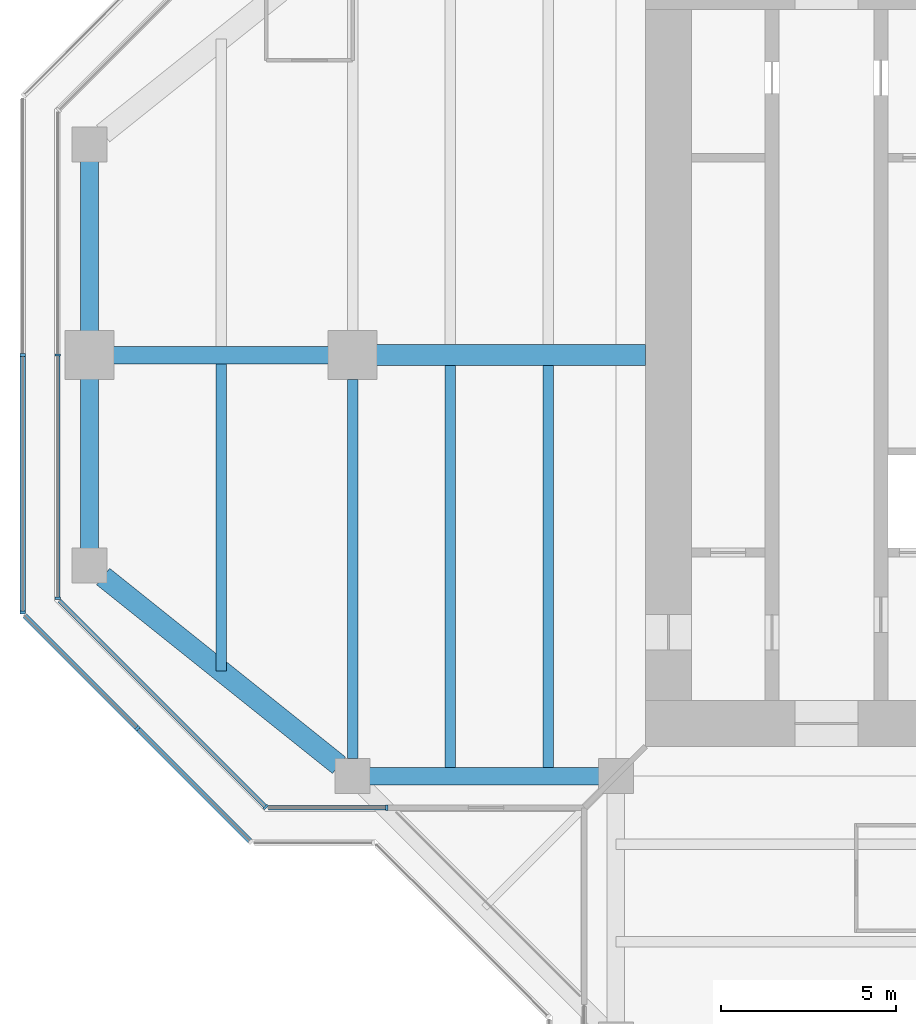
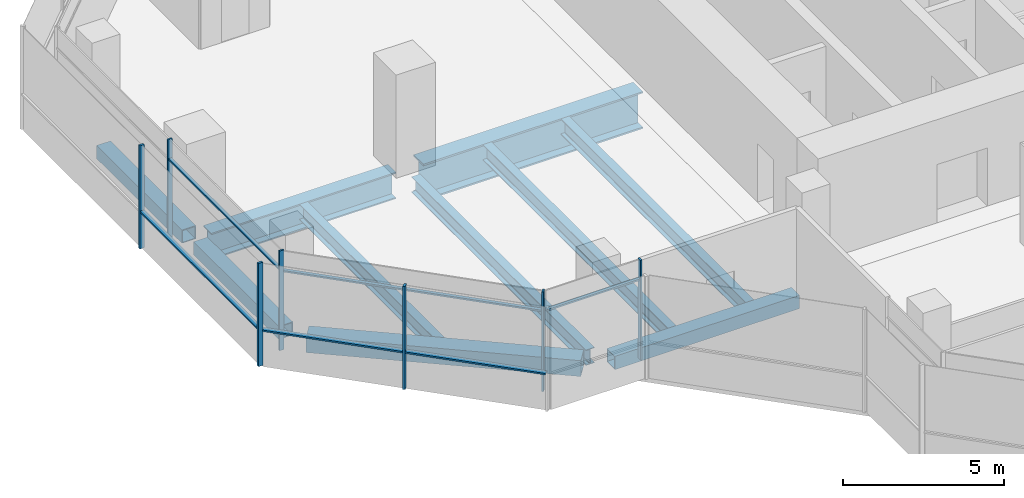
# One storey, part 3 of 15: 13 members, 10 beams, 5 elements without a shape of their own.
"""IFC4 building model written with IfcOpenShell, lengths in metres."""

from ifc_helpers import new_model, si_unit, direction, frame, origin, origin_2d, place, context, subcontext, project, spatial, rectangle, hollow_rectangle, i_section, extrude, material, material_profile, profile_set, type_object, element, aggregate, save


model = new_model("IFC4")

# Units and contexts
model_context = context("Model", 3, precision=1e-05, world=origin(), true_north=direction((0.0, 1.0)))
body_context = subcontext(model_context, "Body", "Model", "MODEL_VIEW")
ifc_project = project(units=[si_unit("LENGTHUNIT", "METRE"), si_unit("AREAUNIT", "SQUARE_METRE"), si_unit("VOLUMEUNIT", "CUBIC_METRE"), si_unit("PLANEANGLEUNIT", "RADIAN"), si_unit("MASSUNIT", "GRAM", prefix="KILO")], contexts=[model_context])

# Site, building, storey
site_placement = place(None, origin())
site = spatial("IfcSite", under=ifc_project, at=site_placement, CompositionType="ELEMENT")
building_placement = place(site_placement, origin())
building = spatial("IfcBuilding", under=site, at=building_placement, Name="Mizan Broadcast Tower", CompositionType="ELEMENT")
storey_placement = place(building_placement, frame((0.0, 0.0, 271.199951171875)))
storey = spatial("IfcBuildingStorey", under=building, at=storey_placement, Name="L64", CompositionType="ELEMENT", Elevation=271.199951171875)

# Beams
ifc_material_1 = material(Name="Steel S355", Category="steel")
ifc_material_profile_1 = material_profile(ifc_material_1, hollow_rectangle(XDim=0.5, YDim=0.5, WallThickness=0.030029296875, at=origin_2d()), Name="BOX 500x500x30")
ifc_profile_set_1 = profile_set([ifc_material_profile_1], Name="Steel S355")
beam_type_1 = type_object("IfcBeamType", Name="EDGE BEAM BOX 500x500x30", PredefinedType="SPANDREL", material=ifc_profile_set_1)
beam_1_placement = place(storey_placement, frame((-27.0, 5.639892578125, -0.3798828125), z_axis=(0.0, -1.0, 0.0), x_axis=(1.0, 0.0, 0.0)))
element("IfcBeam", 1, at=beam_1_placement, inside=storey, type_object=beam_type_1, Name="Edge beam BOX 500x500x30 L64 west arm", PredefinedType="SPANDREL", context=body_context, shape_type="SweptSolid", body=[
    extrude(hollow_rectangle(XDim=0.5, YDim=0.5, WallThickness=0.030029296875, at=origin_2d()), origin(), (0.0, 0.0, 1.0), 5.27978515625),
])
beam_2_placement = place(storey_placement, frame((-12.449951171875, -12.0, -0.3798828125), z_axis=(-1.0, 0.0, 0.0), x_axis=(0.0, -1.0, 0.0)))
element("IfcBeam", 2, at=beam_2_placement, inside=storey, type_object=beam_type_1, Name="Edge beam BOX 500x500x30 L64 west arm", PredefinedType="SPANDREL", context=body_context, shape_type="SweptSolid", body=[
    extrude(hollow_rectangle(XDim=0.5, YDim=0.5, WallThickness=0.030029296875, at=origin_2d()), origin(), (0.0, 0.0, 1.0), 6.60009765625),
])
beam_3_placement = place(storey_placement, frame((-27.0, -5.639892578125, -0.3798828125), z_axis=(0.0, 1.0, 0.0), x_axis=(-1.0, 0.0, 0.0)))
element("IfcBeam", 3, at=beam_3_placement, inside=storey, type_object=beam_type_1, Name="Edge beam BOX 500x500x30 L64 west arm", PredefinedType="SPANDREL", context=body_context, shape_type="SweptSolid", body=[
    extrude(hollow_rectangle(XDim=0.5, YDim=0.5, WallThickness=0.030029296875, at=origin_2d()), origin(), (0.0, 0.0, 1.0), 5.27978515625),
])
ifc_material_2 = material(Name="Steel S355", Category="steel")
ifc_material_profile_2 = material_profile(ifc_material_2, hollow_rectangle(XDim=0.60009765625, YDim=0.60009765625, WallThickness=0.030029296875, at=origin_2d()), Name="BOX 600x600x30")
ifc_profile_set_2 = profile_set([ifc_material_profile_2], Name="Steel S355")
beam_type_2 = type_object("IfcBeamType", Name="EDGE BEAM BOX 600x600x30", PredefinedType="SPANDREL", material=ifc_profile_set_2)
beam_4_placement = place(storey_placement, frame((-19.890380859375, -11.687744140625, -0.429931640625), z_axis=(-0.780863273348, 0.62470196761, 0.0), x_axis=(-0.62470196761, -0.780863273348, 0.0)))
element("IfcBeam", 4, at=beam_4_placement, inside=storey, type_object=beam_type_2, Name="Edge beam BOX 600x600x30 L64 west arm", PredefinedType="SPANDREL", context=body_context, shape_type="SweptSolid", body=[
    extrude(hollow_rectangle(XDim=0.60009765625, YDim=0.60009765625, WallThickness=0.030029296875, at=origin_2d()), origin(), (0.0, 0.0, 1.0), 8.60498046875),
])
ifc_material_3 = material(Name="Steel S355", Category="steel")
ifc_material_profile_3 = material_profile(ifc_material_3, i_section(OverallWidth=0.300048828125, OverallDepth=0.590087890625, WebThickness=0.012939453125, FlangeThickness=0.02490234375, FilletRadius=0.027099609375, at=origin_2d()), Name="HEA 600")
ifc_profile_set_3 = profile_set([ifc_material_profile_3], Name="Steel S355")
beam_type_3 = type_object("IfcBeamType", Name="GIRDER HEA 600", PredefinedType="BEAM", material=ifc_profile_set_3)
beam_5_placement = place(storey_placement, frame((-19.5, -11.5, -0.425048828125), z_axis=(0.0, 1.0, 0.0), x_axis=(-1.0, 0.0, 0.0)))
element("IfcBeam", 5, at=beam_5_placement, inside=storey, type_object=beam_type_3, Name="Girder HEA 600 L64 west arm", PredefinedType="BEAM", context=body_context, shape_type="SweptSolid", body=[
    extrude(i_section(OverallWidth=0.300048828125, OverallDepth=0.590087890625, WebThickness=0.012939453125, FlangeThickness=0.02490234375, FilletRadius=0.027099609375, at=origin_2d()), origin(), (0.0, 0.0, 1.0), 10.800048828125),
])
ifc_material_4 = material(Name="Steel S460", Category="steel")
ifc_material_profile_4 = material_profile(ifc_material_4, i_section(OverallWidth=0.5, OverallDepth=1.0, WebThickness=0.02490234375, FlangeThickness=0.050048828125, at=origin_2d()), Name="WPG 1000x500")
ifc_profile_set_4 = profile_set([ifc_material_profile_4], Name="Steel S460")
beam_type_4 = type_object("IfcBeamType", Name="GIRDER WPG 1000x500", PredefinedType="BEAM", material=ifc_profile_set_4)
beam_6_placement = place(storey_placement, frame((-19.949951171875, 0.0, -0.6298828125), z_axis=(-1.0, 0.0, 0.0), x_axis=(0.0, -1.0, 0.0)))
element("IfcBeam", 6, at=beam_6_placement, inside=storey, type_object=beam_type_4, Name="Girder WPG 1000x500 L64 west arm", PredefinedType="BEAM", context=body_context, shape_type="SweptSolid", body=[
    extrude(i_section(OverallWidth=0.5, OverallDepth=1.0, WebThickness=0.02490234375, FlangeThickness=0.050048828125, at=origin_2d()), origin(), (0.0, 0.0, 1.0), 6.60009765625),
])
ifc_material_5 = material(Name="Steel S460", Category="steel")
ifc_material_profile_5 = material_profile(ifc_material_5, i_section(OverallWidth=0.60009765625, OverallDepth=1.39990234375, WebThickness=0.02490234375, FlangeThickness=0.06005859375, at=origin_2d()), Name="WPG 1400x600")
ifc_profile_set_5 = profile_set([ifc_material_profile_5], Name="Steel S460")
beam_type_5 = type_object("IfcBeamType", Name="GIRDER WPG 1400x600", PredefinedType="BEAM", material=ifc_profile_set_5)
beam_7_placement = place(storey_placement, frame((-11.14990234375, 0.0, -0.829833984375), z_axis=(-1.0, 0.0, 0.0), x_axis=(0.0, -1.0, 0.0)))
element("IfcBeam", 7, at=beam_7_placement, inside=storey, type_object=beam_type_5, Name="Girder WPG 1400x600 L64 west arm", PredefinedType="BEAM", context=body_context, shape_type="SweptSolid", body=[
    extrude(i_section(OverallWidth=0.60009765625, OverallDepth=1.39990234375, WebThickness=0.02490234375, FlangeThickness=0.06005859375, at=origin_2d()), origin(), (0.0, 0.0, 1.0), 7.84912109375),
])

# Curtain wall, members
ifc_material_6 = material(Name="Aluminium framed glazing", Category="aluminium")
curtain_wall_type_1 = type_object("IfcCurtainWallType", Name="INNER SKIN TOP ZONE", PredefinedType="USERDEFINED", material=ifc_material_6)
curtain_wall_1_placement = place(storey_placement, origin())
curtain_wall_1 = element("IfcCurtainWall", 8, at=curtain_wall_1_placement, inside=storey, type_object=curtain_wall_type_1, Name="Inner skin top zone L64 W end", ObjectType="INNER SKIN TOP ZONE", PredefinedType="USERDEFINED")
ifc_material_7 = material(Name="Aluminium, pale anodised", Category="aluminium")
ifc_material_profile_6 = material_profile(ifc_material_7, rectangle(XDim=0.159912109375, YDim=0.06005859375, at=origin_2d()), Name="MULLION 160x60")
ifc_profile_set_6 = profile_set([ifc_material_profile_6], Name="Aluminium, pale anodised")
member_type_1 = type_object("IfcMemberType", Name="INNER SKIN MULLION 60x160", PredefinedType="MULLION", material=ifc_profile_set_6)
member_1_placement = place(storey_placement, frame((-27.89990234375, 0.0, 0.0), z_axis=(0.0, 0.0, 1.0), x_axis=(1.0, 0.0, 0.0)))
member_1 = element("IfcMember", 9, at=member_1_placement, type_object=member_type_1, Name="Inner skin top zone L64 W end mullion 2", PredefinedType="MULLION", context=body_context, shape_type="SweptSolid", body=[
    extrude(rectangle(XDim=0.159912109375, YDim=0.06005859375, at=origin_2d()), origin(), (0.0, 0.0, 1.0), 3.77001953125),
])
member_2_placement = place(storey_placement, frame((-27.89990234375, -6.928466796875, 0.0), z_axis=(0.0, 0.0, 1.0), x_axis=(1.0, 0.0, 0.0)))
member_2 = element("IfcMember", 10, at=member_2_placement, type_object=member_type_1, Name="Inner skin top zone L64 W end mullion 3", PredefinedType="MULLION", context=body_context, shape_type="SweptSolid", body=[
    extrude(rectangle(XDim=0.159912109375, YDim=0.06005859375, at=origin_2d()), origin(), (0.0, 0.0, 1.0), 3.77001953125),
])

# Curtain wall, member
curtain_wall_2_placement = place(storey_placement, origin())
curtain_wall_2 = element("IfcCurtainWall", 11, at=curtain_wall_2_placement, inside=storey, type_object=curtain_wall_type_1, Name="Inner skin top zone L64 W chamfer", ObjectType="INNER SKIN TOP ZONE", PredefinedType="USERDEFINED")
member_3_placement = place(storey_placement, frame((-21.979736328125, -12.87890625, 0.0), z_axis=(0.0, 0.0, 1.0), x_axis=(0.707106781187, 0.707106781187, 0.0)))
member_3 = element("IfcMember", 12, at=member_3_placement, type_object=member_type_1, Name="Inner skin top zone L64 W chamfer mullion 2", PredefinedType="MULLION", context=body_context, shape_type="SweptSolid", body=[
    extrude(rectangle(XDim=0.159912109375, YDim=0.06005859375, at=origin_2d()), origin(), (0.0, 0.0, 1.0), 3.77001953125),
])

curtain_wall_3_placement = place(storey_placement, origin())
curtain_wall_3 = element("IfcCurtainWall", 13, at=curtain_wall_3_placement, inside=storey, type_object=curtain_wall_type_1, Name="Inner skin top zone L64 W side", ObjectType="INNER SKIN TOP ZONE", PredefinedType="USERDEFINED")
member_4_placement = place(storey_placement, frame((-18.530029296875, -12.89990234375, 0.0), z_axis=(0.0, 0.0, 1.0), x_axis=(0.0, 1.0, 0.0)))
member_4 = element("IfcMember", 14, at=member_4_placement, type_object=member_type_1, Name="Inner skin top zone L64 W side mullion 2", PredefinedType="MULLION", context=body_context, shape_type="SweptSolid", body=[
    extrude(rectangle(XDim=0.159912109375, YDim=0.06005859375, at=origin_2d()), origin(), (0.0, 0.0, 1.0), 3.77001953125),
])

# Member
ifc_material_8 = material(Name="Aluminium, pale anodised", Category="aluminium")
ifc_material_profile_7 = material_profile(ifc_material_8, rectangle(XDim=0.1201171875, YDim=0.06005859375, at=origin_2d()), Name="TRANSOM 120x60")
ifc_profile_set_7 = profile_set([ifc_material_profile_7], Name="Aluminium, pale anodised")
member_type_2 = type_object("IfcMemberType", Name="INNER SKIN TRANSOM 60x120", PredefinedType="USERDEFINED", material=ifc_profile_set_7)
member_5_placement = place(storey_placement, frame((-27.89990234375, -0.030029296875, 3.030029296875), z_axis=(0.0, -1.0, 0.0), x_axis=(1.0, 0.0, 0.0)))
member_5 = element("IfcMember", 15, at=member_5_placement, type_object=member_type_2, Name="Inner skin top zone L64 W end transom 2.1", ObjectType="TRANSOM", PredefinedType="USERDEFINED", context=body_context, shape_type="SweptSolid", body=[
    extrude(rectangle(XDim=0.1201171875, YDim=0.06005859375, at=origin_2d()), origin(), (0.0, 0.0, 1.0), 6.86865234375),
])

aggregate(curtain_wall_1, [member_1, member_2, member_5])

member_6_placement = place(storey_placement, frame((-27.857666015625, -7.0009765625, 3.030029296875), z_axis=(0.707106781187, -0.707106781187, 0.0), x_axis=(0.707106781187, 0.707106781187, 0.0)))
member_6 = element("IfcMember", 16, at=member_6_placement, type_object=member_type_2, Name="Inner skin top zone L64 W chamfer transom 1.1", ObjectType="TRANSOM", PredefinedType="USERDEFINED", context=body_context, shape_type="SweptSolid", body=[
    extrude(rectangle(XDim=0.1201171875, YDim=0.06005859375, at=origin_2d()), origin(), (0.0, 0.0, 1.0), 8.28271484375),
])

aggregate(curtain_wall_2, [member_3, member_6])

member_7_placement = place(storey_placement, frame((-21.898681640625, -12.89990234375, 3.030029296875), z_axis=(1.0, 0.0, 0.0), x_axis=(0.0, 1.0, 0.0)))
member_7 = element("IfcMember", 17, at=member_7_placement, type_object=member_type_2, Name="Inner skin top zone L64 W side transom 1.1", ObjectType="TRANSOM", PredefinedType="USERDEFINED", context=body_context, shape_type="SweptSolid", body=[
    extrude(rectangle(XDim=0.1201171875, YDim=0.06005859375, at=origin_2d()), origin(), (0.0, 0.0, 1.0), 3.338623046875),
])

aggregate(curtain_wall_3, [member_4, member_7])

# Curtain wall, member
ifc_material_9 = material(Name="Aluminium framed glazing", Category="aluminium")
curtain_wall_type_2 = type_object("IfcCurtainWallType", Name="OUTER SKIN", PredefinedType="USERDEFINED", material=ifc_material_9)
curtain_wall_4_placement = place(storey_placement, origin())
curtain_wall_4 = element("IfcCurtainWall", 18, at=curtain_wall_4_placement, inside=storey, type_object=curtain_wall_type_2, Name="Outer skin L64 W chamfer", ObjectType="OUTER SKIN", PredefinedType="USERDEFINED")
ifc_material_10 = material(Name="Aluminium, pale anodised", Category="aluminium")
ifc_material_profile_8 = material_profile(ifc_material_10, rectangle(XDim=0.159912109375, YDim=0.080078125, at=origin_2d()), Name="MULLION 160x80")
ifc_profile_set_8 = profile_set([ifc_material_profile_8], Name="Aluminium, pale anodised")
member_type_3 = type_object("IfcMemberType", Name="OUTER SKIN MULLION 80x160", PredefinedType="MULLION", material=ifc_profile_set_8)
member_8_placement = place(storey_placement, frame((-25.636474609375, -10.636474609375, 0.0), z_axis=(0.0, 0.0, 1.0), x_axis=(0.707106781187, 0.707106781187, 0.0)))
member_8 = element("IfcMember", 19, at=member_8_placement, type_object=member_type_3, Name="Outer skin L64 W chamfer mullion 2", PredefinedType="MULLION", context=body_context, shape_type="SweptSolid", body=[
    extrude(rectangle(XDim=0.159912109375, YDim=0.080078125, at=origin_2d()), origin(), (0.0, 0.0, 1.0), 3.900146484375),
])

# Curtain wall, members
curtain_wall_5_placement = place(storey_placement, origin())
curtain_wall_5 = element("IfcCurtainWall", 20, at=curtain_wall_5_placement, inside=storey, type_object=curtain_wall_type_2, Name="Outer skin L64 W end", ObjectType="OUTER SKIN", PredefinedType="USERDEFINED")
member_9_placement = place(storey_placement, frame((-28.89990234375, 0.0, 0.0), z_axis=(0.0, 0.0, 1.0), x_axis=(1.0, 0.0, 0.0)))
member_9 = element("IfcMember", 21, at=member_9_placement, type_object=member_type_3, Name="Outer skin L64 W end mullion 2", PredefinedType="MULLION", context=body_context, shape_type="SweptSolid", body=[
    extrude(rectangle(XDim=0.159912109375, YDim=0.080078125, at=origin_2d()), origin(), (0.0, 0.0, 1.0), 3.900146484375),
])
member_10_placement = place(storey_placement, frame((-28.89990234375, -7.332763671875, 0.0), z_axis=(0.0, 0.0, 1.0), x_axis=(1.0, 0.0, 0.0)))
member_10 = element("IfcMember", 22, at=member_10_placement, type_object=member_type_3, Name="Outer skin L64 W end mullion 3", PredefinedType="MULLION", context=body_context, shape_type="SweptSolid", body=[
    extrude(rectangle(XDim=0.159912109375, YDim=0.080078125, at=origin_2d()), origin(), (0.0, 0.0, 1.0), 3.900146484375),
])

# Member
ifc_material_11 = material(Name="Aluminium, pale anodised", Category="aluminium")
ifc_material_profile_9 = material_profile(ifc_material_11, rectangle(XDim=0.159912109375, YDim=0.06005859375, at=origin_2d()), Name="TRANSOM 160x60")
ifc_profile_set_9 = profile_set([ifc_material_profile_9], Name="Aluminium, pale anodised")
member_type_4 = type_object("IfcMemberType", Name="OUTER SKIN TRANSOM 60x160", PredefinedType="USERDEFINED", material=ifc_profile_set_9)
member_11_placement = place(storey_placement, frame((-28.843505859375, -7.429443359375, 1.400146484375), z_axis=(0.707106781187, -0.707106781187, 0.0), x_axis=(0.707106781187, 0.707106781187, 0.0)))
member_11 = element("IfcMember", 23, at=member_11_placement, type_object=member_type_4, Name="Outer skin L64 W chamfer transom 1.1", ObjectType="TRANSOM", PredefinedType="USERDEFINED", context=body_context, shape_type="SweptSolid", body=[
    extrude(rectangle(XDim=0.159912109375, YDim=0.06005859375, at=origin_2d()), origin(), (0.0, 0.0, 1.0), 4.495361328125),
])

member_12_placement = place(storey_placement, frame((-25.608154296875, -10.664794921875, 1.400146484375), z_axis=(0.707106781187, -0.707106781187, 0.0), x_axis=(0.707106781187, 0.707106781187, 0.0)))
member_12 = element("IfcMember", 24, at=member_12_placement, type_object=member_type_4, Name="Outer skin L64 W chamfer transom 2.1", ObjectType="TRANSOM", PredefinedType="USERDEFINED", context=body_context, shape_type="SweptSolid", body=[
    extrude(rectangle(XDim=0.159912109375, YDim=0.06005859375, at=origin_2d()), origin(), (0.0, 0.0, 1.0), 4.495361328125),
])

aggregate(curtain_wall_4, [member_8, member_11, member_12])

member_13_placement = place(storey_placement, frame((-28.89990234375, -0.0400390625, 1.400146484375), z_axis=(0.0, -1.0, 0.0), x_axis=(1.0, 0.0, 0.0)))
member_13 = element("IfcMember", 25, at=member_13_placement, type_object=member_type_4, Name="Outer skin L64 W end transom 2.1", ObjectType="TRANSOM", PredefinedType="USERDEFINED", context=body_context, shape_type="SweptSolid", body=[
    extrude(rectangle(XDim=0.159912109375, YDim=0.06005859375, at=origin_2d()), origin(), (0.0, 0.0, 1.0), 7.252685546875),
])

aggregate(curtain_wall_5, [member_9, member_10, member_13])

# Beams
ifc_material_12 = material(Name="Steel S355", Category="steel")
ifc_material_profile_10 = material_profile(ifc_material_12, i_section(OverallWidth=0.300048828125, OverallDepth=0.590087890625, WebThickness=0.012939453125, FlangeThickness=0.02490234375, FilletRadius=0.027099609375, at=origin_2d()), Name="HEA 600")
ifc_profile_set_10 = profile_set([ifc_material_profile_10], Name="Steel S355")
beam_type_6 = type_object("IfcBeamType", Name="SECONDARY BEAM HEA 600", PredefinedType="JOIST", material=ifc_profile_set_10)
for number, where, z_axis, x_axis, name in (
    (26, (-13.933349609375, -12.0, -0.425048828125), (0.0, 1.0, 0.0), (-1.0, 0.0, 0.0), "Secondary beam HEA 600 L64 west arm"),
    (27, (-16.716552734375, -12.0, -0.425048828125), (0.0, 1.0, 0.0), (-1.0, 0.0, 0.0), "Secondary beam HEA 600 L64 west arm"),
):
    element("IfcBeam", number, at=place(storey_placement, frame(where, z_axis=z_axis, x_axis=x_axis)), inside=storey, type_object=beam_type_6, Name=name, PredefinedType="JOIST", context=body_context, shape_type="SweptSolid", body=[
        extrude(i_section(OverallWidth=0.300048828125, OverallDepth=0.590087890625, WebThickness=0.012939453125, FlangeThickness=0.02490234375, FilletRadius=0.027099609375, at=origin_2d()), origin(), (0.0, 0.0, 1.0), 11.699951171875),
    ])
beam_8_placement = place(storey_placement, frame((-23.25, -9.0, -0.425048828125), z_axis=(0.0, 1.0, 0.0), x_axis=(-1.0, 0.0, 0.0)))
element("IfcBeam", 28, at=beam_8_placement, inside=storey, type_object=beam_type_6, Name="Secondary beam HEA 600 L64 west arm", PredefinedType="JOIST", context=body_context, shape_type="SweptSolid", body=[
    extrude(i_section(OverallWidth=0.300048828125, OverallDepth=0.590087890625, WebThickness=0.012939453125, FlangeThickness=0.02490234375, FilletRadius=0.027099609375, at=origin_2d()), origin(), (0.0, 0.0, 1.0), 8.75),
])

save(model, "model.ifc")
